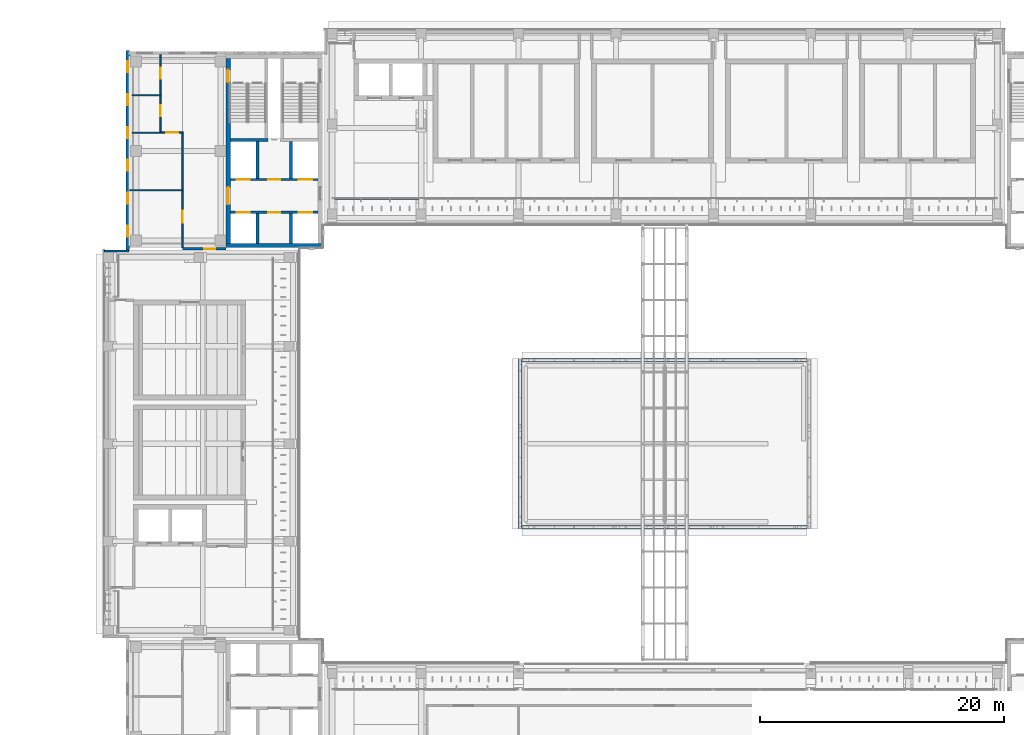
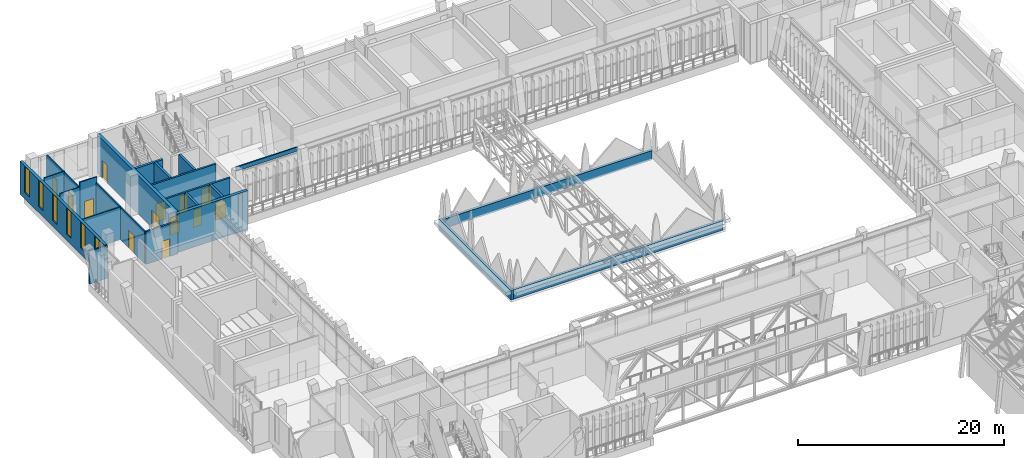
# One storey, part 110 of 141: 22 walls, 13 doors, 6 windows, 19 openings.
"""IFC4 building model written with IfcOpenShell, lengths in metres."""

from ifc_helpers import new_model, si_unit, direction, frame, frame_2d, origin, place, context, subcontext, project, spatial, rectangle, extrude, material, layer, layer_set, type_object, element, fill, save


model = new_model("IFC4")

# Units and contexts
model_context = context("Model", 3, precision=1e-05, world=origin(), true_north=direction((0.0, 1.0)))
body_context = subcontext(model_context, "Body", "Model", "MODEL_VIEW")
ifc_project = project(units=[si_unit("LENGTHUNIT", "METRE"), si_unit("AREAUNIT", "SQUARE_METRE"), si_unit("VOLUMEUNIT", "CUBIC_METRE"), si_unit("PLANEANGLEUNIT", "RADIAN"), si_unit("MASSUNIT", "GRAM", prefix="KILO")], contexts=[model_context])

# Site, building, storey
site_placement = place(None, origin())
site = spatial("IfcSite", under=ifc_project, at=site_placement, CompositionType="ELEMENT")
building_placement = place(site_placement, origin())
building = spatial("IfcBuilding", under=site, at=building_placement, Name="Lantern Court Media Centre", CompositionType="ELEMENT")
storey_placement = place(building_placement, frame((0.0, 0.0, 9.60009765625)))
storey = spatial("IfcBuildingStorey", under=building, at=storey_placement, Name="L02", CompositionType="ELEMENT", Elevation=9.60009765625)

# Wall, opening, door
ifc_material_1 = material(Name="Gypsum board partition")
ifc_layer_1 = layer(ifc_material_1, 0.125)
ifc_layer_set_1 = layer_set([ifc_layer_1], Name="Gypsum board partition")
wall_type_1 = type_object("IfcWallType", Name="Corridor partition 125", PredefinedType="PARTITIONING", material=ifc_layer_set_1)
wall_1_placement = place(storey_placement, frame((12.39990234375, 96.10009765625, 0.0), z_axis=(0.0, 0.0, 1.0), x_axis=(0.0, 1.0, 0.0)))
wall_1 = element("IfcWall", 1, at=wall_1_placement, inside=storey, type_object=wall_type_1, Name="L02 partition 037", PredefinedType="PARTITIONING", context=body_context, shape_type="SweptSolid", body=[
    extrude(rectangle(XDim=9.376953125, YDim=0.125, at=frame_2d((4.6884765625, 0.0))), origin(), (0.0, 0.0, 1.0), 3.8798828125),
])
opening_1_placement = place(wall_1_placement, frame((2.040283203125, 0.0, 0.0)))
opening_1 = element("IfcOpeningElement", 2, at=opening_1_placement, cuts=wall_1, Name="Opening L02-040", PredefinedType="OPENING", context=body_context, shape_type="SweptSolid", body=[
    extrude(rectangle(XDim=1.0, YDim=2.10009765625, at=frame_2d((0.5, 1.050048828125))), frame((0.0, 0.072509765625, 0.0), z_axis=(0.0, -1.0, 0.0), x_axis=(1.0, 0.0, 0.0)), (0.0, 0.0, 1.0), 0.14501953125),
])
ifc_material_2 = material(Name="Solid-core timber door leaf", Category="wood")
door_type_1 = type_object("IfcDoorType", Name="Single door 1000x2100", OperationType="NOTDEFINED", PredefinedType="DOOR", material=ifc_material_2)
door_1_placement = place(opening_1_placement, origin())
door_1 = element("IfcDoor", 3, at=door_1_placement, inside=storey, type_object=door_type_1, Name="L02 Production Office 10 door", OperationType="SINGLE_SWING_LEFT", OverallHeight=2.10009765625, OverallWidth=1.0, PredefinedType="DOOR", context=body_context, shape_type="SweptSolid", body=[
    extrude(rectangle(XDim=1.0, YDim=2.10009765625, at=frame_2d((0.5, 1.050048828125))), frame((0.0, 0.02490234375, 0.0), z_axis=(0.0, -1.0, 0.0), x_axis=(1.0, 0.0, 0.0)), (0.0, 0.0, 1.0), 0.050048828125),
])
fill(opening_1, door_1)

# Wall, openings, doors
wall_2_placement = place(storey_placement, frame((10.60009765625, 105.60205078125, 0.0), z_axis=(0.0, 0.0, 1.0), x_axis=(0.0, 1.0, 0.0)))
wall_2 = element("IfcWall", 4, at=wall_2_placement, inside=storey, type_object=wall_type_1, Name="L02 partition 042", PredefinedType="PARTITIONING", context=body_context, shape_type="SweptSolid", body=[
    extrude(rectangle(XDim=6.31787109375, YDim=0.125, at=frame_2d((3.158935546875, 0.0))), origin(), (0.0, 0.0, 1.0), 3.8798828125),
])
opening_2_placement = place(wall_2_placement, frame((4.3828125, 0.0, 0.0)))
opening_2 = element("IfcOpeningElement", 5, at=opening_2_placement, cuts=wall_2, Name="Opening L02-041", PredefinedType="OPENING", context=body_context, shape_type="SweptSolid", body=[
    extrude(rectangle(XDim=0.89990234375, YDim=2.10009765625, at=frame_2d((0.449951171875, 1.050048828125))), frame((0.0, 0.072509765625, 0.0), z_axis=(0.0, -1.0, 0.0), x_axis=(1.0, 0.0, 0.0)), (0.0, 0.0, 1.0), 0.14501953125),
])
opening_3_placement = place(wall_2_placement, frame((1.302490234375, 0.0, 0.0)))
opening_3 = element("IfcOpeningElement", 6, at=opening_3_placement, cuts=wall_2, Name="Opening L02-042", PredefinedType="OPENING", context=body_context, shape_type="SweptSolid", body=[
    extrude(rectangle(XDim=0.89990234375, YDim=2.10009765625, at=frame_2d((0.449951171875, 1.050048828125))), frame((0.0, 0.072509765625, 0.0), z_axis=(0.0, -1.0, 0.0), x_axis=(1.0, 0.0, 0.0)), (0.0, 0.0, 1.0), 0.14501953125),
])
door_type_2 = type_object("IfcDoorType", Name="Single door 900x2100", OperationType="NOTDEFINED", PredefinedType="DOOR", material=ifc_material_2)
door_2_placement = place(opening_2_placement, origin())
door_2 = element("IfcDoor", 7, at=door_2_placement, inside=storey, type_object=door_type_2, Name="L02 WC Male door", OperationType="SINGLE_SWING_RIGHT", OverallHeight=2.10009765625, OverallWidth=0.89990234375, PredefinedType="DOOR", context=body_context, shape_type="SweptSolid", body=[
    extrude(rectangle(XDim=0.89990234375, YDim=2.10009765625, at=frame_2d((0.449951171875, 1.050048828125))), frame((0.0, 0.02490234375, 0.0), z_axis=(0.0, -1.0, 0.0), x_axis=(1.0, 0.0, 0.0)), (0.0, 0.0, 1.0), 0.050048828125),
])
fill(opening_2, door_2)
door_3_placement = place(opening_3_placement, origin())
door_3 = element("IfcDoor", 8, at=door_3_placement, inside=storey, type_object=door_type_2, Name="L02 WC Female door", OperationType="SINGLE_SWING_LEFT", OverallHeight=2.10009765625, OverallWidth=0.89990234375, PredefinedType="DOOR", context=body_context, shape_type="SweptSolid", body=[
    extrude(rectangle(XDim=0.89990234375, YDim=2.10009765625, at=frame_2d((0.449951171875, 1.050048828125))), frame((0.0, 0.02490234375, 0.0), z_axis=(0.0, -1.0, 0.0), x_axis=(1.0, 0.0, 0.0)), (0.0, 0.0, 1.0), 0.050048828125),
])
fill(opening_3, door_3)

# Wall, opening, door
wall_3_placement = place(storey_placement, frame((10.53759765625, 105.5400390625, 0.0), z_axis=(0.0, 0.0, 1.0), x_axis=(1.0, 0.0, 0.0)))
wall_3 = element("IfcWall", 9, at=wall_3_placement, inside=storey, type_object=wall_type_1, Name="L02 partition 054", PredefinedType="PARTITIONING", context=body_context, shape_type="SweptSolid", body=[
    extrude(rectangle(XDim=1.9248046875, YDim=0.125, at=frame_2d((0.96240234375, 0.0))), origin(), (0.0, 0.0, 1.0), 4.559814453125),
])
opening_4_placement = place(wall_3_placement, frame((0.53515625, 0.0, 0.0)))
opening_4 = element("IfcOpeningElement", 10, at=opening_4_placement, cuts=wall_3, Name="Opening L02-039", PredefinedType="OPENING", context=body_context, shape_type="SweptSolid", body=[
    extrude(rectangle(XDim=1.0, YDim=2.10009765625, at=frame_2d((0.5, 1.050048828125))), frame((0.0, 0.072509765625, 0.0), z_axis=(0.0, -1.0, 0.0), x_axis=(1.0, 0.0, 0.0)), (0.0, 0.0, 1.0), 0.14501953125),
])
door_4_placement = place(opening_4_placement, frame((1.0, 0.0, 0.0), z_axis=(0.0, 0.0, 1.0), x_axis=(-1.0, 0.0, 0.0)))
door_4 = element("IfcDoor", 11, at=door_4_placement, inside=storey, type_object=door_type_1, Name="L02 Production Office 09 door", OperationType="SINGLE_SWING_RIGHT", OverallHeight=2.10009765625, OverallWidth=1.0, PredefinedType="DOOR", context=body_context, shape_type="SweptSolid", body=[
    extrude(rectangle(XDim=1.0, YDim=2.10009765625, at=frame_2d((0.5, 1.050048828125))), frame((0.0, 0.02490234375, 0.0), z_axis=(0.0, -1.0, 0.0), x_axis=(1.0, 0.0, 0.0)), (0.0, 0.0, 1.0), 0.050048828125),
])
fill(opening_4, door_4)

# Wall, openings, doors
ifc_material_3 = material(Name="Concrete C40", Category="concrete")
ifc_layer_2 = layer(ifc_material_3, 0.199951171875)
ifc_layer_set_2 = layer_set([ifc_layer_2], Name="Concrete C40")
wall_type_2 = type_object("IfcWallType", Name="Fire lobby wall 200", PredefinedType="SOLIDWALL", material=ifc_layer_set_2)
wall_4_placement = place(storey_placement, frame((16.35009765625, 101.699951171875, 0.0), z_axis=(0.0, 0.0, 1.0), x_axis=(1.0, 0.0, 0.0)))
wall_4 = element("IfcWall", 12, at=wall_4_placement, inside=storey, type_object=wall_type_2, Name="L02 NW FW1", PredefinedType="SOLIDWALL", context=body_context, shape_type="SweptSolid", body=[
    extrude(rectangle(XDim=7.199951171875, YDim=0.199951171875, at=frame_2d((3.60009765625, 0.0))), origin(), (0.0, 0.0, 1.0), 4.5498046875),
])
opening_5_placement = place(wall_4_placement, frame((0.5, 0.0, 0.0)))
opening_5 = element("IfcOpeningElement", 13, at=opening_5_placement, cuts=wall_4, Name="Opening LD-NWFF-L02", PredefinedType="OPENING", context=body_context, shape_type="SweptSolid", body=[
    extrude(rectangle(XDim=1.10009765625, YDim=2.10009765625, at=frame_2d((0.550048828125, 1.050048828125))), frame((0.0, 0.10986328125, 0.0), z_axis=(0.0, -1.0, 0.0), x_axis=(1.0, 0.0, 0.0)), (0.0, 0.0, 1.0), 0.219970703125),
])
opening_6_placement = place(wall_4_placement, frame((5.60009765625, 0.0, 0.0)))
opening_6 = element("IfcOpeningElement", 14, at=opening_6_placement, cuts=wall_4, Name="Opening LD-NWP1-L02", PredefinedType="OPENING", context=body_context, shape_type="SweptSolid", body=[
    extrude(rectangle(XDim=1.10009765625, YDim=2.10009765625, at=frame_2d((0.550048828125, 1.050048828125))), frame((0.0, 0.10986328125, 0.0), z_axis=(0.0, -1.0, 0.0), x_axis=(1.0, 0.0, 0.0)), (0.0, 0.0, 1.0), 0.219970703125),
])
opening_7_placement = place(wall_4_placement, frame((3.10009765625, 0.0, 0.0)))
opening_7 = element("IfcOpeningElement", 15, at=opening_7_placement, cuts=wall_4, Name="Opening NW-L02-03", PredefinedType="OPENING", context=body_context, shape_type="SweptSolid", body=[
    extrude(rectangle(XDim=1.0, YDim=2.10009765625, at=frame_2d((0.5, 1.050048828125))), frame((0.0, 0.10986328125, 0.0), z_axis=(0.0, -1.0, 0.0), x_axis=(1.0, 0.0, 0.0)), (0.0, 0.0, 1.0), 0.219970703125),
])
ifc_material_4 = material(Name="Steel door leaf", Category="steel")
door_type_3 = type_object("IfcDoorType", Name="Lift landing door 1100x2100", OperationType="DOUBLE_DOOR_SLIDING", PredefinedType="DOOR", material=ifc_material_4)
door_5_placement = place(opening_5_placement, frame((1.10009765625, 0.0, 0.0), z_axis=(0.0, 0.0, 1.0), x_axis=(-1.0, 0.0, 0.0)))
door_5 = element("IfcDoor", 16, at=door_5_placement, inside=storey, type_object=door_type_3, Name="L02 NW lift FF landing door", OperationType="DOUBLE_DOOR_SLIDING", OverallHeight=2.10009765625, OverallWidth=1.10009765625, PredefinedType="DOOR", context=body_context, shape_type="SweptSolid", body=[
    extrude(rectangle(XDim=1.10009765625, YDim=2.10009765625, at=frame_2d((0.550048828125, 1.050048828125))), frame((0.0, 0.02490234375, 0.0), z_axis=(0.0, -1.0, 0.0), x_axis=(1.0, 0.0, 0.0)), (0.0, 0.0, 1.0), 0.050048828125),
])
fill(opening_5, door_5)
door_6_placement = place(opening_6_placement, frame((1.10009765625, 0.0, 0.0), z_axis=(0.0, 0.0, 1.0), x_axis=(-1.0, 0.0, 0.0)))
door_6 = element("IfcDoor", 17, at=door_6_placement, inside=storey, type_object=door_type_3, Name="L02 NW lift P1 landing door", OperationType="DOUBLE_DOOR_SLIDING", OverallHeight=2.10009765625, OverallWidth=1.10009765625, PredefinedType="DOOR", context=body_context, shape_type="SweptSolid", body=[
    extrude(rectangle(XDim=1.10009765625, YDim=2.10009765625, at=frame_2d((0.550048828125, 1.050048828125))), frame((0.0, 0.02490234375, 0.0), z_axis=(0.0, -1.0, 0.0), x_axis=(1.0, 0.0, 0.0)), (0.0, 0.0, 1.0), 0.050048828125),
])
fill(opening_6, door_6)
door_type_4 = type_object("IfcDoorType", Name="Service door 1000x2100", OperationType="NOTDEFINED", PredefinedType="DOOR", material=ifc_material_4)
door_7_placement = place(opening_7_placement, frame((1.0, 0.0, 0.0), z_axis=(0.0, 0.0, 1.0), x_axis=(-1.0, 0.0, 0.0)))
door_7 = element("IfcDoor", 18, at=door_7_placement, inside=storey, type_object=door_type_4, Name="L02 NW services riser door", OperationType="SINGLE_SWING_LEFT", OverallHeight=2.10009765625, OverallWidth=1.0, PredefinedType="DOOR", context=body_context, shape_type="SweptSolid", body=[
    extrude(rectangle(XDim=1.0, YDim=2.10009765625, at=frame_2d((0.5, 1.050048828125))), frame((0.0, 0.02490234375, 0.0), z_axis=(0.0, -1.0, 0.0), x_axis=(1.0, 0.0, 0.0)), (0.0, 0.0, 1.0), 0.050048828125),
])
fill(opening_7, door_7)

wall_5_placement = place(storey_placement, frame((16.35009765625, 99.0, 0.0), z_axis=(0.0, 0.0, 1.0), x_axis=(1.0, 0.0, 0.0)))
wall_5 = element("IfcWall", 19, at=wall_5_placement, inside=storey, type_object=wall_type_2, Name="L02 NW FW2", PredefinedType="SOLIDWALL", context=body_context, shape_type="SweptSolid", body=[
    extrude(rectangle(XDim=7.199951171875, YDim=0.199951171875, at=frame_2d((3.60009765625, 0.0))), origin(), (0.0, 0.0, 1.0), 4.5498046875),
])
opening_8_placement = place(wall_5_placement, frame((0.5, 0.0, 0.0)))
opening_8 = element("IfcOpeningElement", 20, at=opening_8_placement, cuts=wall_5, Name="Opening LD-NWP2-L02", PredefinedType="OPENING", context=body_context, shape_type="SweptSolid", body=[
    extrude(rectangle(XDim=1.10009765625, YDim=2.10009765625, at=frame_2d((0.550048828125, 1.050048828125))), frame((0.0, 0.10986328125, 0.0), z_axis=(0.0, -1.0, 0.0), x_axis=(1.0, 0.0, 0.0)), (0.0, 0.0, 1.0), 0.219970703125),
])
opening_9_placement = place(wall_5_placement, frame((5.60009765625, 0.0, 0.0)))
opening_9 = element("IfcOpeningElement", 21, at=opening_9_placement, cuts=wall_5, Name="Opening LD-NWP3-L02", PredefinedType="OPENING", context=body_context, shape_type="SweptSolid", body=[
    extrude(rectangle(XDim=1.10009765625, YDim=2.10009765625, at=frame_2d((0.550048828125, 1.050048828125))), frame((0.0, 0.10986328125, 0.0), z_axis=(0.0, -1.0, 0.0), x_axis=(1.0, 0.0, 0.0)), (0.0, 0.0, 1.0), 0.219970703125),
])
opening_10_placement = place(wall_5_placement, frame((3.10009765625, 0.0, 0.0)))
opening_10 = element("IfcOpeningElement", 22, at=opening_10_placement, cuts=wall_5, Name="Opening NW-L02-04", PredefinedType="OPENING", context=body_context, shape_type="SweptSolid", body=[
    extrude(rectangle(XDim=1.0, YDim=2.10009765625, at=frame_2d((0.5, 1.050048828125))), frame((0.0, 0.10986328125, 0.0), z_axis=(0.0, -1.0, 0.0), x_axis=(1.0, 0.0, 0.0)), (0.0, 0.0, 1.0), 0.219970703125),
])
door_8_placement = place(opening_8_placement, origin())
door_8 = element("IfcDoor", 23, at=door_8_placement, inside=storey, type_object=door_type_3, Name="L02 NW lift P2 landing door", OperationType="DOUBLE_DOOR_SLIDING", OverallHeight=2.10009765625, OverallWidth=1.10009765625, PredefinedType="DOOR", context=body_context, shape_type="SweptSolid", body=[
    extrude(rectangle(XDim=1.10009765625, YDim=2.10009765625, at=frame_2d((0.550048828125, 1.050048828125))), frame((0.0, 0.02490234375, 0.0), z_axis=(0.0, -1.0, 0.0), x_axis=(1.0, 0.0, 0.0)), (0.0, 0.0, 1.0), 0.050048828125),
])
fill(opening_8, door_8)
door_9_placement = place(opening_9_placement, origin())
door_9 = element("IfcDoor", 24, at=door_9_placement, inside=storey, type_object=door_type_3, Name="L02 NW lift P3 landing door", OperationType="DOUBLE_DOOR_SLIDING", OverallHeight=2.10009765625, OverallWidth=1.10009765625, PredefinedType="DOOR", context=body_context, shape_type="SweptSolid", body=[
    extrude(rectangle(XDim=1.10009765625, YDim=2.10009765625, at=frame_2d((0.550048828125, 1.050048828125))), frame((0.0, 0.02490234375, 0.0), z_axis=(0.0, -1.0, 0.0), x_axis=(1.0, 0.0, 0.0)), (0.0, 0.0, 1.0), 0.050048828125),
])
fill(opening_9, door_9)
door_10_placement = place(opening_10_placement, origin())
door_10 = element("IfcDoor", 25, at=door_10_placement, inside=storey, type_object=door_type_4, Name="L02 NW accessible WC door", OperationType="SINGLE_SWING_RIGHT", OverallHeight=2.10009765625, OverallWidth=1.0, PredefinedType="DOOR", context=body_context, shape_type="SweptSolid", body=[
    extrude(rectangle(XDim=1.0, YDim=2.10009765625, at=frame_2d((0.5, 1.050048828125))), frame((0.0, 0.02490234375, 0.0), z_axis=(0.0, -1.0, 0.0), x_axis=(1.0, 0.0, 0.0)), (0.0, 0.0, 1.0), 0.050048828125),
])
fill(opening_10, door_10)

# Wall
ifc_material_5 = material(Name="Insulated rendered blockwork", Category="masonry")
ifc_layer_3 = layer(ifc_material_5, 0.14990234375)
ifc_layer_set_3 = layer_set([ifc_layer_3], Name="Insulated rendered blockwork")
wall_type_3 = type_object("IfcWallType", Name="Head infill wall 150", PredefinedType="SOLIDWALL", material=ifc_layer_set_3)
wall_6_placement = place(storey_placement, frame((24.89990234375, 100.14990234375, 4.099853515625), z_axis=(0.0, 0.0, 1.0), x_axis=(1.0, 0.0, 0.0)))
element("IfcWall", 26, at=wall_6_placement, inside=storey, type_object=wall_type_3, Name="Head infill wall N inner L02", PredefinedType="SOLIDWALL", context=body_context, shape_type="SweptSolid", body=[
    extrude(rectangle(XDim=6.900146484375, YDim=0.14990234375, at=frame_2d((3.4501953125, 0.0))), origin(), (0.0, 0.0, 1.0), 0.47998046875),
])

# Wall, openings, windows
ifc_material_6 = material(Name="Honed limestone cladding on blockwork", Category="masonry")
ifc_layer_4 = layer(ifc_material_6, 0.300048828125)
ifc_layer_set_4 = layer_set([ifc_layer_4], Name="Honed limestone cladding on blockwork")
wall_type_4 = type_object("IfcWallType", Name="Limestone block wall 300", PredefinedType="SOLIDWALL", material=ifc_layer_set_4)
wall_7_placement = place(storey_placement, frame((7.929931640625, 95.89990234375, 0.0), z_axis=(0.0, 0.0, 1.0), x_axis=(0.0, 1.0, 0.0)))
wall_7 = element("IfcWall", 27, at=wall_7_placement, inside=storey, type_object=wall_type_4, Name="Limestone wall NW W L02", PredefinedType="SOLIDWALL", context=body_context, shape_type="SweptSolid", body=[
    extrude(rectangle(XDim=16.400146484375, YDim=0.300048828125, at=frame_2d((8.2001953125, 0.0))), origin(), (0.0, 0.0, 1.0), 3.89990234375),
])
opening_11_placement = place(wall_7_placement, frame((1.10009765625, 0.0, 0.75)))
opening_11 = element("IfcOpeningElement", 28, at=opening_11_placement, cuts=wall_7, Name="Opening WN-N", PredefinedType="OPENING", context=body_context, shape_type="SweptSolid", body=[
    extrude(rectangle(XDim=0.89990234375, YDim=3.10009765625, at=frame_2d((0.449951171875, 1.550048828125))), frame((0.0, 0.159912109375, 0.0), z_axis=(0.0, -1.0, 0.0), x_axis=(1.0, 0.0, 0.0)), (0.0, 0.0, 1.0), 0.320068359375),
])
opening_12_placement = place(wall_7_placement, frame((3.800048828125, 0.0, 0.75)))
opening_12 = element("IfcOpeningElement", 29, at=opening_12_placement, cuts=wall_7, Name="Opening WN-N", PredefinedType="OPENING", context=body_context, shape_type="SweptSolid", body=[
    extrude(rectangle(XDim=0.89990234375, YDim=3.10009765625, at=frame_2d((0.449951171875, 1.550048828125))), frame((0.0, 0.159912109375, 0.0), z_axis=(0.0, -1.0, 0.0), x_axis=(1.0, 0.0, 0.0)), (0.0, 0.0, 1.0), 0.320068359375),
])
opening_13_placement = place(wall_7_placement, frame((6.5, 0.0, 0.75)))
opening_13 = element("IfcOpeningElement", 30, at=opening_13_placement, cuts=wall_7, Name="Opening WN-N", PredefinedType="OPENING", context=body_context, shape_type="SweptSolid", body=[
    extrude(rectangle(XDim=0.89990234375, YDim=3.10009765625, at=frame_2d((0.449951171875, 1.550048828125))), frame((0.0, 0.159912109375, 0.0), z_axis=(0.0, -1.0, 0.0), x_axis=(1.0, 0.0, 0.0)), (0.0, 0.0, 1.0), 0.320068359375),
])
opening_14_placement = place(wall_7_placement, frame((9.199951171875, 0.0, 0.75)))
opening_14 = element("IfcOpeningElement", 31, at=opening_14_placement, cuts=wall_7, Name="Opening WN-N", PredefinedType="OPENING", context=body_context, shape_type="SweptSolid", body=[
    extrude(rectangle(XDim=0.89990234375, YDim=3.10009765625, at=frame_2d((0.449951171875, 1.550048828125))), frame((0.0, 0.159912109375, 0.0), z_axis=(0.0, -1.0, 0.0), x_axis=(1.0, 0.0, 0.0)), (0.0, 0.0, 1.0), 0.320068359375),
])
opening_15_placement = place(wall_7_placement, frame((11.89990234375, 0.0, 0.75)))
opening_15 = element("IfcOpeningElement", 32, at=opening_15_placement, cuts=wall_7, Name="Opening WN-N", PredefinedType="OPENING", context=body_context, shape_type="SweptSolid", body=[
    extrude(rectangle(XDim=0.89990234375, YDim=3.10009765625, at=frame_2d((0.449951171875, 1.550048828125))), frame((0.0, 0.159912109375, 0.0), z_axis=(0.0, -1.0, 0.0), x_axis=(1.0, 0.0, 0.0)), (0.0, 0.0, 1.0), 0.320068359375),
])
opening_16_placement = place(wall_7_placement, frame((14.60009765625, 0.0, 0.75)))
opening_16 = element("IfcOpeningElement", 33, at=opening_16_placement, cuts=wall_7, Name="Opening WN-N", PredefinedType="OPENING", context=body_context, shape_type="SweptSolid", body=[
    extrude(rectangle(XDim=0.89990234375, YDim=3.10009765625, at=frame_2d((0.449951171875, 1.550048828125))), frame((0.0, 0.159912109375, 0.0), z_axis=(0.0, -1.0, 0.0), x_axis=(1.0, 0.0, 0.0)), (0.0, 0.0, 1.0), 0.320068359375),
])
ifc_material_7 = material(Name="Anodised aluminium and glass", Category="aluminium")
window_type = type_object("IfcWindowType", Name="Pier window 900x3100", PartitioningType="SINGLE_PANEL", PredefinedType="WINDOW", material=ifc_material_7)
window_1_placement = place(opening_11_placement, origin())
window_1 = element("IfcWindow", 34, at=window_1_placement, inside=storey, type_object=window_type, Name="Window NW W L02", OverallHeight=3.10009765625, OverallWidth=0.89990234375, PartitioningType="SINGLE_PANEL", PredefinedType="WINDOW", context=body_context, shape_type="SweptSolid", body=[
    extrude(rectangle(XDim=0.89990234375, YDim=3.10009765625, at=frame_2d((0.449951171875, 1.550048828125))), frame((0.0, 0.030029296875, 0.0), z_axis=(0.0, -1.0, 0.0), x_axis=(1.0, 0.0, 0.0)), (0.0, 0.0, 1.0), 0.06005859375),
])
fill(opening_11, window_1)
window_2_placement = place(opening_12_placement, origin())
window_2 = element("IfcWindow", 35, at=window_2_placement, inside=storey, type_object=window_type, Name="Window NW W L02", OverallHeight=3.10009765625, OverallWidth=0.89990234375, PartitioningType="SINGLE_PANEL", PredefinedType="WINDOW", context=body_context, shape_type="SweptSolid", body=[
    extrude(rectangle(XDim=0.89990234375, YDim=3.10009765625, at=frame_2d((0.449951171875, 1.550048828125))), frame((0.0, 0.030029296875, 0.0), z_axis=(0.0, -1.0, 0.0), x_axis=(1.0, 0.0, 0.0)), (0.0, 0.0, 1.0), 0.06005859375),
])
fill(opening_12, window_2)
window_3_placement = place(opening_13_placement, origin())
window_3 = element("IfcWindow", 36, at=window_3_placement, inside=storey, type_object=window_type, Name="Window NW W L02", OverallHeight=3.10009765625, OverallWidth=0.89990234375, PartitioningType="SINGLE_PANEL", PredefinedType="WINDOW", context=body_context, shape_type="SweptSolid", body=[
    extrude(rectangle(XDim=0.89990234375, YDim=3.10009765625, at=frame_2d((0.449951171875, 1.550048828125))), frame((0.0, 0.030029296875, 0.0), z_axis=(0.0, -1.0, 0.0), x_axis=(1.0, 0.0, 0.0)), (0.0, 0.0, 1.0), 0.06005859375),
])
fill(opening_13, window_3)
window_4_placement = place(opening_14_placement, origin())
window_4 = element("IfcWindow", 37, at=window_4_placement, inside=storey, type_object=window_type, Name="Window NW W L02", OverallHeight=3.10009765625, OverallWidth=0.89990234375, PartitioningType="SINGLE_PANEL", PredefinedType="WINDOW", context=body_context, shape_type="SweptSolid", body=[
    extrude(rectangle(XDim=0.89990234375, YDim=3.10009765625, at=frame_2d((0.449951171875, 1.550048828125))), frame((0.0, 0.030029296875, 0.0), z_axis=(0.0, -1.0, 0.0), x_axis=(1.0, 0.0, 0.0)), (0.0, 0.0, 1.0), 0.06005859375),
])
fill(opening_14, window_4)
window_5_placement = place(opening_15_placement, origin())
window_5 = element("IfcWindow", 38, at=window_5_placement, inside=storey, type_object=window_type, Name="Window NW W L02", OverallHeight=3.10009765625, OverallWidth=0.89990234375, PartitioningType="SINGLE_PANEL", PredefinedType="WINDOW", context=body_context, shape_type="SweptSolid", body=[
    extrude(rectangle(XDim=0.89990234375, YDim=3.10009765625, at=frame_2d((0.449951171875, 1.550048828125))), frame((0.0, 0.030029296875, 0.0), z_axis=(0.0, -1.0, 0.0), x_axis=(1.0, 0.0, 0.0)), (0.0, 0.0, 1.0), 0.06005859375),
])
fill(opening_15, window_5)
window_6_placement = place(opening_16_placement, origin())
window_6 = element("IfcWindow", 39, at=window_6_placement, inside=storey, type_object=window_type, Name="Window NW W L02", OverallHeight=3.10009765625, OverallWidth=0.89990234375, PartitioningType="SINGLE_PANEL", PredefinedType="WINDOW", context=body_context, shape_type="SweptSolid", body=[
    extrude(rectangle(XDim=0.89990234375, YDim=3.10009765625, at=frame_2d((0.449951171875, 1.550048828125))), frame((0.0, 0.030029296875, 0.0), z_axis=(0.0, -1.0, 0.0), x_axis=(1.0, 0.0, 0.0)), (0.0, 0.0, 1.0), 0.06005859375),
])
fill(opening_16, window_6)

# Wall
ifc_layer_5 = layer(ifc_material_6, 0.139892578125)
ifc_layer_set_5 = layer_set([ifc_layer_5], Name="Honed limestone cladding on blockwork")
wall_type_5 = type_object("IfcWallType", Name="Limestone closure wall 140", PredefinedType="SOLIDWALL", material=ifc_layer_set_5)
wall_8_placement = place(storey_placement, frame((6.0, 95.830078125, 0.0), z_axis=(0.0, 0.0, 1.0), x_axis=(1.0, 0.0, 0.0)))
element("IfcWall", 40, at=wall_8_placement, inside=storey, type_object=wall_type_5, Name="Limestone closure wall W-NW L02", PredefinedType="SOLIDWALL", context=body_context, shape_type="SweptSolid", body=[
    extrude(rectangle(XDim=2.0, YDim=0.139892578125, at=frame_2d((1.0, 0.0))), origin(), (0.0, 0.0, 1.0), 3.89990234375),
])

# Wall, opening, door
ifc_material_8 = material(Name="Fire-rated gypsum board")
ifc_layer_6 = layer(ifc_material_8, 0.199951171875)
ifc_layer_set_6 = layer_set([ifc_layer_6], Name="Fire-rated gypsum board")
wall_type_6 = type_object("IfcWallType", Name="Movement-joint compartment wall 200", PredefinedType="PARTITIONING", material=ifc_layer_set_6)
wall_9_placement = place(storey_placement, frame((12.39990234375, 96.0, 0.0), z_axis=(0.0, 0.0, 1.0), x_axis=(1.0, 0.0, 0.0)))
wall_9 = element("IfcWall", 41, at=wall_9_placement, inside=storey, type_object=wall_type_6, Name="L02 movement-joint wall 08", PredefinedType="PARTITIONING", context=body_context, shape_type="SweptSolid", body=[
    extrude(rectangle(XDim=3.60009765625, YDim=0.199951171875, at=frame_2d((1.800048828125, 0.0))), origin(), (0.0, 0.0, 1.0), 3.8798828125),
])
opening_17_placement = place(wall_9_placement, frame((1.800048828125, 0.0, 0.0)))
opening_17 = element("IfcOpeningElement", 42, at=opening_17_placement, cuts=wall_9, Name="Opening L02-J08", PredefinedType="OPENING", context=body_context, shape_type="SweptSolid", body=[
    extrude(rectangle(XDim=0.89990234375, YDim=2.10009765625, at=frame_2d((0.449951171875, 1.050048828125))), frame((0.0, 0.10986328125, 0.0), z_axis=(0.0, -1.0, 0.0), x_axis=(1.0, 0.0, 0.0)), (0.0, 0.0, 1.0), 0.219970703125),
])
door_type_5 = type_object("IfcDoorType", Name="Movement-joint fire door 900x2100", OperationType="NOTDEFINED", PredefinedType="DOOR", material=ifc_material_4)
door_11_placement = place(opening_17_placement, origin())
door_11 = element("IfcDoor", 43, at=door_11_placement, inside=storey, type_object=door_type_5, Name="L02 bar end lobby door 08", OperationType="SINGLE_SWING_LEFT", OverallHeight=2.10009765625, OverallWidth=0.89990234375, PredefinedType="DOOR", context=body_context, shape_type="SweptSolid", body=[
    extrude(rectangle(XDim=0.89990234375, YDim=2.10009765625, at=frame_2d((0.449951171875, 1.050048828125))), frame((0.0, 0.02490234375, 0.0), z_axis=(0.0, -1.0, 0.0), x_axis=(1.0, 0.0, 0.0)), (0.0, 0.0, 1.0), 0.050048828125),
])
fill(opening_17, door_11)

# Walls
ifc_layer_7 = layer(ifc_material_1, 0.10009765625)
ifc_layer_set_7 = layer_set([ifc_layer_7], Name="Gypsum board partition")
wall_type_7 = type_object("IfcWallType", Name="Partition 100", PredefinedType="PARTITIONING", material=ifc_layer_set_7)
wall_10_placement = place(storey_placement, frame((8.080078125, 100.820068359375, 0.0), z_axis=(0.0, 0.0, 1.0), x_axis=(1.0, 0.0, 0.0)))
element("IfcWall", 44, at=wall_10_placement, inside=storey, type_object=wall_type_7, Name="L02 partition 052", PredefinedType="PARTITIONING", context=body_context, shape_type="SweptSolid", body=[
    extrude(rectangle(XDim=4.38232421875, YDim=0.10009765625, at=frame_2d((2.191162109375, 0.0))), origin(), (0.0, 0.0, 1.0), 3.8798828125),
])
for number, where, z_axis, x_axis, name in (
    (45, (8.300048828125, 105.5400390625, 0.0), (0.0, 0.0, 1.0), (1.0, 0.0, 0.0), "L02 partition 053"),
    (46, (8.300048828125, 108.6201171875, 0.0), (0.0, 0.0, 1.0), (1.0, 0.0, 0.0), "L02 partition 055"),
):
    element("IfcWall", number, at=place(storey_placement, frame(where, z_axis=z_axis, x_axis=x_axis)), inside=storey, type_object=wall_type_7, Name=name, PredefinedType="PARTITIONING", context=body_context, shape_type="SweptSolid", body=[
        extrude(rectangle(XDim=2.362548828125, YDim=0.10009765625, at=frame_2d((1.18115234375, 0.0))), origin(), (0.0, 0.0, 1.0), 3.97998046875),
    ])
ifc_material_9 = material(Name="Limestone masonry, insulated", Category="masonry")
ifc_layer_8 = layer(ifc_material_9, 0.300048828125)
ifc_layer_set_8 = layer_set([ifc_layer_8], Name="Limestone masonry, insulated")
wall_type_8 = type_object("IfcWallType", Name="Press box parapet 300", PredefinedType="PARAPET", material=ifc_layer_set_8)
for number, where, z_axis, x_axis, name in (
    (47, (40.300048828125, 73.14990234375, 0.0), (0.0, 0.0, 1.0), (1.0, 0.0, 0.0), "Press box roof parapet S"),
    (48, (40.300048828125, 86.85009765625, 0.0), (0.0, 0.0, 1.0), (1.0, 0.0, 0.0), "Press box roof parapet N"),
):
    element("IfcWall", number, at=place(storey_placement, frame(where, z_axis=z_axis, x_axis=x_axis)), inside=storey, type_object=wall_type_8, Name=name, PredefinedType="PARAPET", context=body_context, shape_type="SweptSolid", body=[
        extrude(rectangle(XDim=23.39990234375, YDim=0.300048828125, at=frame_2d((11.699951171875, 0.0))), origin(), (0.0, 0.0, 1.0), 1.099853515625),
    ])
wall_11_placement = place(storey_placement, frame((40.14990234375, 73.0, 0.0), z_axis=(0.0, 0.0, 1.0), x_axis=(0.0, 1.0, 0.0)))
element("IfcWall", 49, at=wall_11_placement, inside=storey, type_object=wall_type_8, Name="Press box roof parapet W", PredefinedType="PARAPET", context=body_context, shape_type="SweptSolid", body=[
    extrude(rectangle(XDim=14.0, YDim=0.300048828125, at=frame_2d((7.0, 0.0))), origin(), (0.0, 0.0, 1.0), 1.099853515625),
])
ifc_layer_9 = layer(ifc_material_3, 0.35009765625)
ifc_layer_set_9 = layer_set([ifc_layer_9], Name="Concrete C40")
wall_type_9 = type_object("IfcWallType", Name="RC CORE WALL 350", PredefinedType="SHEAR", material=ifc_layer_set_9)
wall_12_placement = place(storey_placement, frame((16.0, 96.27490234375, 0.0), z_axis=(0.0, 0.0, 1.0), x_axis=(1.0, 0.0, 0.0)))
element("IfcWall", 50, at=wall_12_placement, inside=storey, type_object=wall_type_9, Name="WC-NW-L02-S", PredefinedType="SHEAR", context=body_context, shape_type="SweptSolid", body=[
    extrude(rectangle(XDim=7.89990234375, YDim=0.35009765625, at=frame_2d((3.949951171875, 0.0))), origin(), (0.0, 0.0, 1.0), 4.579833984375),
])

# Wall, openings, doors
wall_13_placement = place(storey_placement, frame((16.175048828125, 96.449951171875, 0.0), z_axis=(0.0, 0.0, 1.0), x_axis=(0.0, 1.0, 0.0)))
wall_13 = element("IfcWall", 51, at=wall_13_placement, inside=storey, type_object=wall_type_9, Name="WC-NW-L02-W", PredefinedType="SHEAR", context=body_context, shape_type="SweptSolid", body=[
    extrude(rectangle(XDim=15.199951171875, YDim=0.35009765625, at=frame_2d((7.60009765625, 0.0))), origin(), (0.0, 0.0, 1.0), 4.579833984375),
])
opening_18_placement = place(wall_13_placement, frame((13.25, 0.0, 0.0)))
opening_18 = element("IfcOpeningElement", 52, at=opening_18_placement, cuts=wall_13, Name="Opening NW-L02-01", PredefinedType="OPENING", context=body_context, shape_type="SweptSolid", body=[
    extrude(rectangle(XDim=1.0, YDim=2.10009765625, at=frame_2d((0.5, 1.050048828125))), frame((0.0, 0.18505859375, 0.0), z_axis=(0.0, -1.0, 0.0), x_axis=(1.0, 0.0, 0.0)), (0.0, 0.0, 1.0), 0.3701171875),
])
opening_19_placement = place(wall_13_placement, frame((3.199951171875, 0.0, 0.0)))
opening_19 = element("IfcOpeningElement", 53, at=opening_19_placement, cuts=wall_13, Name="Opening NW-L02-05", PredefinedType="OPENING", context=body_context, shape_type="SweptSolid", body=[
    extrude(rectangle(XDim=1.39990234375, YDim=2.10009765625, at=frame_2d((0.699951171875, 1.050048828125))), frame((0.0, 0.18505859375, 0.0), z_axis=(0.0, -1.0, 0.0), x_axis=(1.0, 0.0, 0.0)), (0.0, 0.0, 1.0), 0.3701171875),
])
door_type_6 = type_object("IfcDoorType", Name="Lift lobby double door 1400x2100", OperationType="NOTDEFINED", PredefinedType="DOOR", material=ifc_material_4)
door_12_placement = place(opening_19_placement, origin())
door_12 = element("IfcDoor", 54, at=door_12_placement, inside=storey, type_object=door_type_6, Name="L02 NW lift lobby west door", OperationType="SINGLE_SWING_LEFT", OverallHeight=2.10009765625, OverallWidth=1.39990234375, PredefinedType="DOOR", context=body_context, shape_type="SweptSolid", body=[
    extrude(rectangle(XDim=1.39990234375, YDim=2.10009765625, at=frame_2d((0.699951171875, 1.050048828125))), frame((0.0, 0.02490234375, 0.0), z_axis=(0.0, -1.0, 0.0), x_axis=(1.0, 0.0, 0.0)), (0.0, 0.0, 1.0), 0.050048828125),
])
fill(opening_19, door_12)
door_type_7 = type_object("IfcDoorType", Name="Stair door 1000x2100", OperationType="NOTDEFINED", PredefinedType="DOOR", material=ifc_material_4)
door_13_placement = place(opening_18_placement, origin())
door_13 = element("IfcDoor", 55, at=door_13_placement, inside=storey, type_object=door_type_7, Name="L02 NW stair A door", OperationType="SINGLE_SWING_LEFT", OverallHeight=2.10009765625, OverallWidth=1.0, PredefinedType="DOOR", context=body_context, shape_type="SweptSolid", body=[
    extrude(rectangle(XDim=1.0, YDim=2.10009765625, at=frame_2d((0.5, 1.050048828125))), frame((0.0, 0.02490234375, 0.0), z_axis=(0.0, -1.0, 0.0), x_axis=(1.0, 0.0, 0.0)), (0.0, 0.0, 1.0), 0.050048828125),
])
fill(opening_18, door_13)

# Walls
ifc_layer_10 = layer(ifc_material_3, 0.25)
ifc_layer_set_10 = layer_set([ifc_layer_10], Name="Concrete C40")
wall_type_10 = type_object("IfcWallType", Name="RC lift shaft wall 250", PredefinedType="SOLIDWALL", material=ifc_layer_set_10)
wall_14_placement = place(storey_placement, frame((18.574951171875, 104.800048828125, 0.0), z_axis=(0.0, 0.0, 1.0), x_axis=(0.0, -1.0, 0.0)))
element("IfcWall", 56, at=wall_14_placement, inside=storey, type_object=wall_type_10, Name="L02 NW L1a", PredefinedType="SOLIDWALL", context=body_context, shape_type="SweptSolid", body=[
    extrude(rectangle(XDim=3.0, YDim=0.25, at=frame_2d((1.5, 0.0))), origin(), (0.0, 0.0, 1.0), 4.5498046875),
])
wall_15_placement = place(storey_placement, frame((18.574951171875, 98.89990234375, 0.0), z_axis=(0.0, 0.0, 1.0), x_axis=(0.0, -1.0, 0.0)))
element("IfcWall", 57, at=wall_15_placement, inside=storey, type_object=wall_type_10, Name="L02 NW L1b", PredefinedType="SOLIDWALL", context=body_context, shape_type="SweptSolid", body=[
    extrude(rectangle(XDim=2.449951171875, YDim=0.25, at=frame_2d((1.22509765625, 0.0))), origin(), (0.0, 0.0, 1.0), 4.5498046875),
])
wall_16_placement = place(storey_placement, frame((21.324951171875, 104.800048828125, 0.0), z_axis=(0.0, 0.0, 1.0), x_axis=(0.0, -1.0, 0.0)))
element("IfcWall", 58, at=wall_16_placement, inside=storey, type_object=wall_type_10, Name="L02 NW L2a", PredefinedType="SOLIDWALL", context=body_context, shape_type="SweptSolid", body=[
    extrude(rectangle(XDim=3.0, YDim=0.25, at=frame_2d((1.5, 0.0))), origin(), (0.0, 0.0, 1.0), 4.5498046875),
])
wall_17_placement = place(storey_placement, frame((21.324951171875, 98.89990234375, 0.0), z_axis=(0.0, 0.0, 1.0), x_axis=(0.0, -1.0, 0.0)))
element("IfcWall", 59, at=wall_17_placement, inside=storey, type_object=wall_type_10, Name="L02 NW L2b", PredefinedType="SOLIDWALL", context=body_context, shape_type="SweptSolid", body=[
    extrude(rectangle(XDim=2.449951171875, YDim=0.25, at=frame_2d((1.22509765625, 0.0))), origin(), (0.0, 0.0, 1.0), 4.5498046875),
])
ifc_layer_11 = layer(ifc_material_3, 0.25)
ifc_layer_set_11 = layer_set([ifc_layer_11], Name="Concrete C40")
wall_type_11 = type_object("IfcWallType", Name="RC stair shaft wall 250", PredefinedType="SOLIDWALL", material=ifc_layer_set_11)
wall_18_placement = place(storey_placement, frame((16.35009765625, 104.925048828125, 0.0), z_axis=(0.0, 0.0, 1.0), x_axis=(1.0, 0.0, 0.0)))
element("IfcWall", 60, at=wall_18_placement, inside=storey, type_object=wall_type_11, Name="L02 NW SN1", PredefinedType="SOLIDWALL", context=body_context, shape_type="SweptSolid", body=[
    extrude(rectangle(XDim=3.099853515625, YDim=0.25, at=frame_2d((1.5498046875, 0.0))), origin(), (0.0, 0.0, 1.0), 4.5498046875),
])

save(model, "model.ifc")
